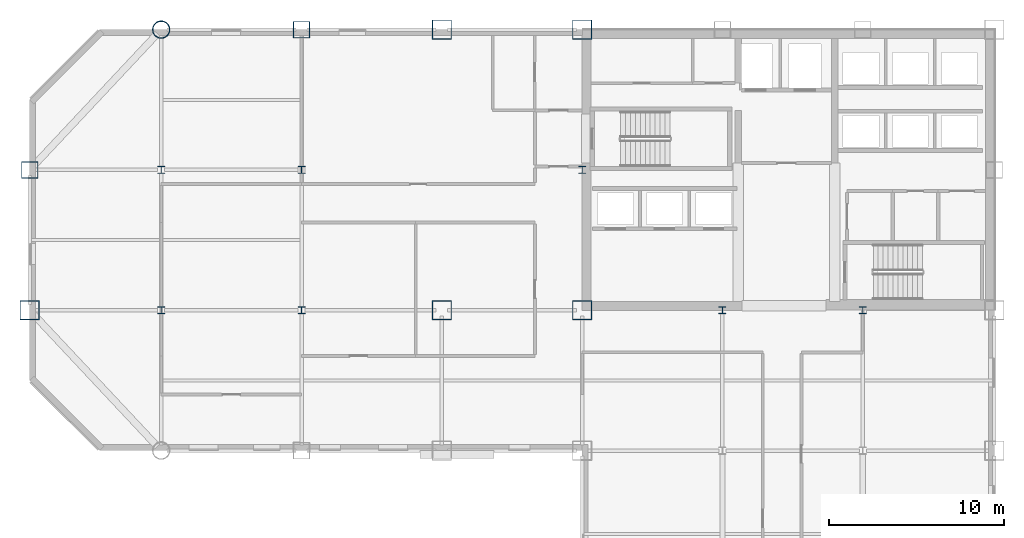
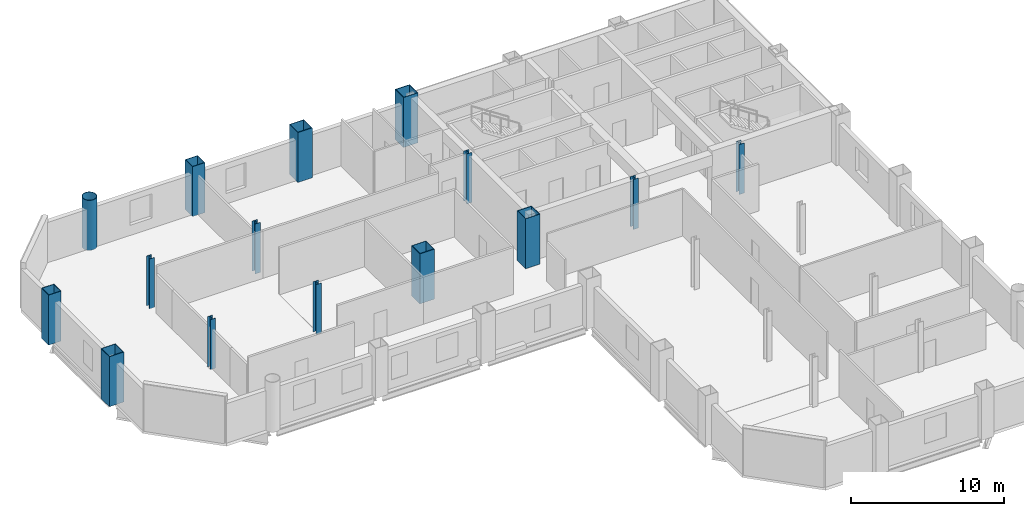
# One storey, part 3 of 9: 15 columns.
"""IFC4 building model written with IfcOpenShell, lengths in metres."""

from ifc_helpers import new_model, si_unit, direction, frame, origin, origin_2d, place, context, subcontext, project, spatial, hollow_rectangle, hollow_circle, i_section, extrude, material, material_profile, profile_set, type_object, element, save


model = new_model("IFC4")

# Units and contexts
model_context = context("Model", 3, precision=1e-05, world=origin(), true_north=direction((0.0, 1.0)))
body_context = subcontext(model_context, "Body", "Model", "MODEL_VIEW")
ifc_project = project(units=[si_unit("LENGTHUNIT", "METRE"), si_unit("AREAUNIT", "SQUARE_METRE"), si_unit("VOLUMEUNIT", "CUBIC_METRE"), si_unit("PLANEANGLEUNIT", "RADIAN"), si_unit("MASSUNIT", "GRAM", prefix="KILO")], contexts=[model_context])

# Site, building, storey
site_placement = place(None, origin())
site = spatial("IfcSite", under=ifc_project, at=site_placement, CompositionType="ELEMENT")
building_placement = place(site_placement, origin())
building = spatial("IfcBuilding", under=site, at=building_placement, Name="Qianrong Seaharbour Tower", CompositionType="ELEMENT")
storey_placement = place(building_placement, frame((0.0, 0.0, 143.0)))
storey = spatial("IfcBuildingStorey", under=building, at=storey_placement, Name="L34", CompositionType="ELEMENT", Elevation=143.0)

# Columns
ifc_material = material(Name="Structural steel SN490B", Category="steel")
ifc_material_profile_1 = material_profile(ifc_material, hollow_rectangle(XDim=1.10009765625, YDim=1.10009765625, WallThickness=0.0400390625, at=origin_2d()), Name="BOX1100x1100x40")
ifc_profile_set_1 = profile_set([ifc_material_profile_1], Name="Structural steel SN490B")
column_type_1 = type_object("IfcColumnType", Name="COL-CFT-1100", PredefinedType="COLUMN", material=ifc_profile_set_1)
for number, where, z_axis, x_axis, name in (
    (1, (9.0, 36.0, 0.0), (0.0, 0.0, 1.0), (1.0, 0.0, 0.0), "L34 Column MC-3 at G2/GF"),
    (2, (32.5, 36.0, 0.0), (0.0, 0.0, 1.0), (1.0, 0.0, 0.0), "L34 Column MC-3 at G5/GF"),
    (3, (32.5, 52.0, 0.0), (0.0, 0.0, 1.0), (1.0, 0.0, 0.0), "L34 Column MC-3 at G5/GH"),
    (4, (40.5, 36.0, 0.0), (0.0, 0.0, 1.0), (1.0, 0.0, 0.0), "L34 Column MC-3 at G6/GF"),
    (5, (40.5, 52.0, 0.0), (0.0, 0.0, 1.0), (1.0, 0.0, 0.0), "L34 Column MC-3 at G6/GH"),
):
    element("IfcColumn", number, at=place(storey_placement, frame(where, z_axis=z_axis, x_axis=x_axis)), inside=storey, type_object=column_type_1, Name=name, PredefinedType="COLUMN", context=body_context, shape_type="SweptSolid", body=[
        extrude(hollow_rectangle(XDim=1.10009765625, YDim=1.10009765625, WallThickness=0.0400390625, at=origin_2d()), origin(), (0.0, 0.0, 1.0), 4.0),
    ])
ifc_material_profile_2 = material_profile(ifc_material, hollow_circle(Radius=0.5, WallThickness=0.035888671875, at=origin_2d()), Name="CHS1000x36")
ifc_profile_set_2 = profile_set([ifc_material_profile_2], Name="Structural steel SN490B")
column_type_2 = type_object("IfcColumnType", Name="COL-CHS-1000", PredefinedType="COLUMN", material=ifc_profile_set_2)
column_placement = place(storey_placement, frame((16.5, 52.0, 0.0), z_axis=(0.0, 0.0, 1.0), x_axis=(1.0, 0.0, 0.0)))
element("IfcColumn", 6, at=column_placement, inside=storey, type_object=column_type_2, Name="L34 Column CC-2 at G3/GH", PredefinedType="COLUMN", context=body_context, shape_type="SweptSolid", body=[
    extrude(hollow_circle(Radius=0.5, WallThickness=0.035888671875, at=origin_2d()), origin(), (0.0, 0.0, 1.0), 4.0),
])
ifc_material_profile_3 = material_profile(ifc_material, i_section(OverallWidth=0.39990234375, OverallDepth=0.39990234375, WebThickness=0.012939453125, FlangeThickness=0.02099609375, FilletRadius=0.02197265625, at=origin_2d()), Name="H400x400x13x21")
ifc_profile_set_3 = profile_set([ifc_material_profile_3], Name="Structural steel SN490B")
column_type_3 = type_object("IfcColumnType", Name="COL-INT-H400", PredefinedType="COLUMN", material=ifc_profile_set_3)
for number, where, z_axis, x_axis, name in (
    (7, (16.5, 36.0, 0.0), (0.0, 0.0, 1.0), (1.0, 0.0, 0.0), "L34 Column IC-3 at G3/GF"),
    (8, (16.5, 44.0, 0.0), (0.0, 0.0, 1.0), (1.0, 0.0, 0.0), "L34 Column IC-3 at G3/GG"),
    (9, (24.5, 36.0, 0.0), (0.0, 0.0, 1.0), (1.0, 0.0, 0.0), "L34 Column IC-3 at G4/GF"),
    (10, (24.5, 44.0, 0.0), (0.0, 0.0, 1.0), (1.0, 0.0, 0.0), "L34 Column IC-3 at G4/GG"),
    (11, (40.5, 44.0, 0.0), (0.0, 0.0, 1.0), (1.0, 0.0, 0.0), "L34 Column IC-3 at G6/GG"),
    (12, (48.5, 36.0, 0.0), (0.0, 0.0, 1.0), (1.0, 0.0, 0.0), "L34 Column IC-3 at G7/GF"),
    (13, (56.5, 36.0, 0.0), (0.0, 0.0, 1.0), (1.0, 0.0, 0.0), "L34 Column IC-3 at G8/GF"),
):
    element("IfcColumn", number, at=place(storey_placement, frame(where, z_axis=z_axis, x_axis=x_axis)), inside=storey, type_object=column_type_3, Name=name, PredefinedType="COLUMN", context=body_context, shape_type="SweptSolid", body=[
        extrude(i_section(OverallWidth=0.39990234375, OverallDepth=0.39990234375, WebThickness=0.012939453125, FlangeThickness=0.02099609375, FilletRadius=0.02197265625, at=origin_2d()), origin(), (0.0, 0.0, 1.0), 4.0),
    ])
ifc_material_profile_4 = material_profile(ifc_material, hollow_rectangle(XDim=0.949951171875, YDim=0.949951171875, WallThickness=0.035888671875, at=origin_2d()), Name="BOX950x950x36")
ifc_profile_set_4 = profile_set([ifc_material_profile_4], Name="Structural steel SN490B")
column_type_4 = type_object("IfcColumnType", Name="COL-PER-950", PredefinedType="COLUMN", material=ifc_profile_set_4)
for number, where, z_axis, x_axis, name in (
    (14, (9.0, 44.0, 0.0), (0.0, 0.0, 1.0), (1.0, 0.0, 0.0), "L34 Column PC-2 at G2/GG"),
    (15, (24.5, 52.0, 0.0), (0.0, 0.0, 1.0), (1.0, 0.0, 0.0), "L34 Column PC-2 at G4/GH"),
):
    element("IfcColumn", number, at=place(storey_placement, frame(where, z_axis=z_axis, x_axis=x_axis)), inside=storey, type_object=column_type_4, Name=name, PredefinedType="COLUMN", context=body_context, shape_type="SweptSolid", body=[
        extrude(hollow_rectangle(XDim=0.949951171875, YDim=0.949951171875, WallThickness=0.035888671875, at=origin_2d()), origin(), (0.0, 0.0, 1.0), 4.0),
    ])

save(model, "model.ifc")
